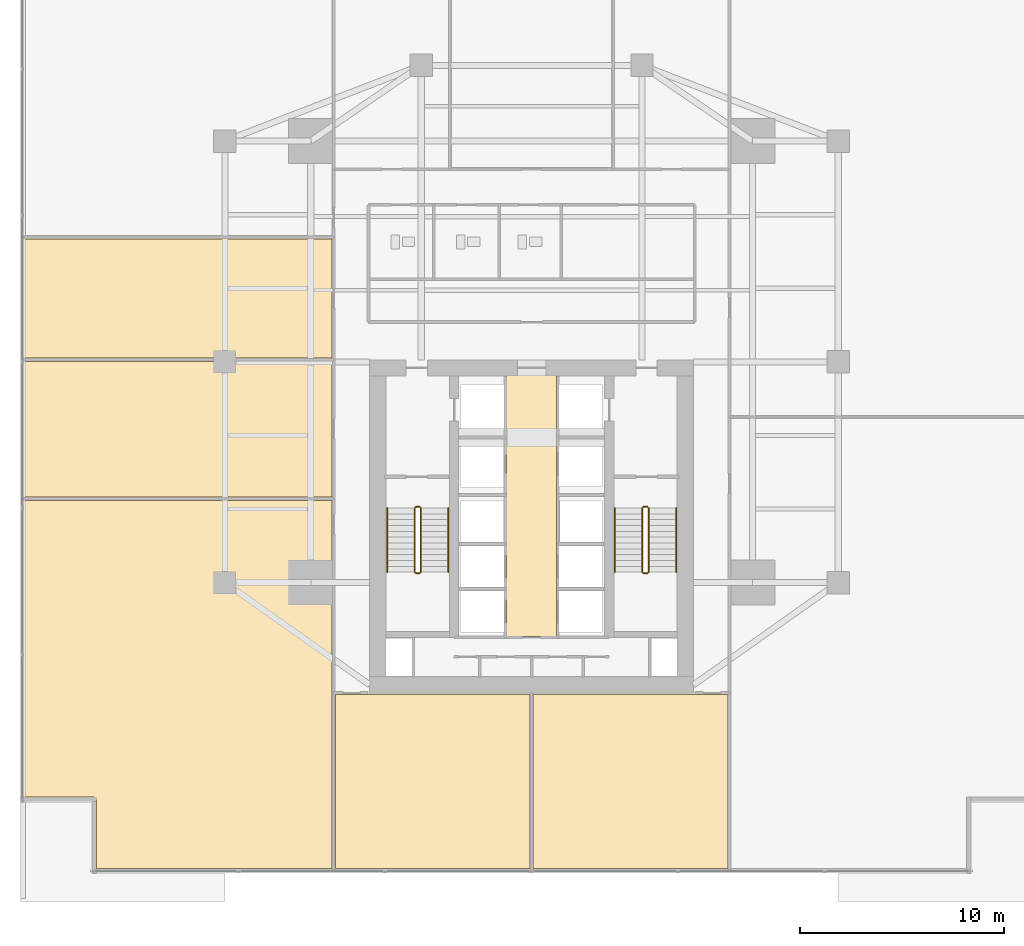
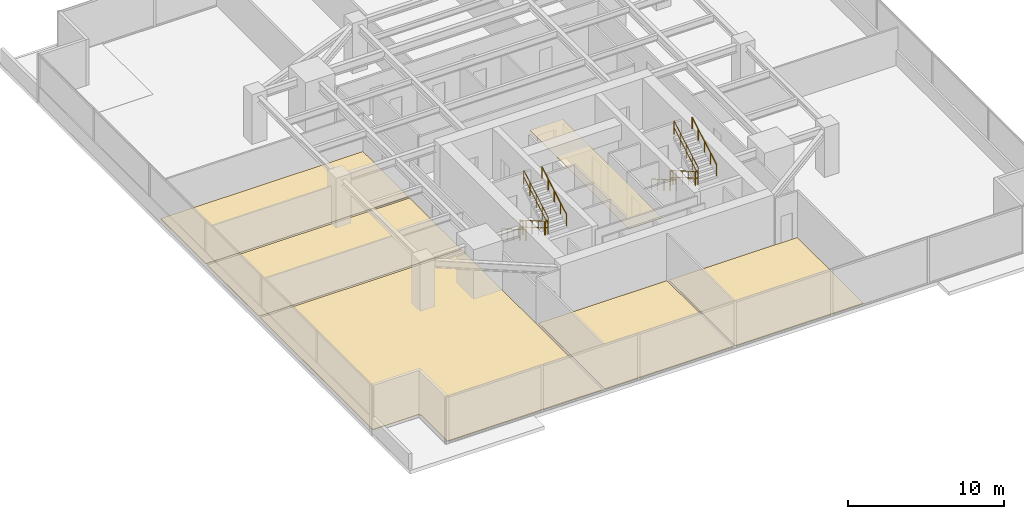
# One storey, part 28 of 30: 12 railings, 6 coverings.
"""IFC4 building model written with IfcOpenShell, lengths in metres."""

from ifc_helpers import new_model, si_unit, direction, frame, origin, origin_2d, place, context, subcontext, project, spatial, polyline, circle, outline, extrude, material, layer, layer_set, type_object, element, save


model = new_model("IFC4")

# Units and contexts
model_context = context("Model", 3, precision=1e-05, world=origin(), true_north=direction((0.0, 1.0)))
body_context = subcontext(model_context, "Body", "Model", "MODEL_VIEW")
ifc_project = project(units=[si_unit("LENGTHUNIT", "METRE"), si_unit("AREAUNIT", "SQUARE_METRE"), si_unit("VOLUMEUNIT", "CUBIC_METRE"), si_unit("PLANEANGLEUNIT", "RADIAN"), si_unit("MASSUNIT", "GRAM", prefix="KILO")], contexts=[model_context])

# Site, building, storey
site_placement = place(None, origin())
site = spatial("IfcSite", under=ifc_project, at=site_placement, CompositionType="ELEMENT")
building_placement = place(site_placement, origin())
building = spatial("IfcBuilding", under=site, at=building_placement, Name="Krantzveldt Concourse Tower", CompositionType="ELEMENT")
storey_placement = place(building_placement, frame((0.0, 0.0, 25.0)))
storey = spatial("IfcBuildingStorey", under=building, at=storey_placement, Name="L05", CompositionType="ELEMENT", Elevation=25.0)

# Coverings
ifc_material_1 = material(Name="Perforated acoustic mineral-fibre ceiling tile", Category="ceiling")
ifc_layer_1 = layer(ifc_material_1, 0.0400390625, Name="Perforated acoustic mineral-fibre ceiling tile", Category="ceiling")
ifc_layer_set_1 = layer_set([ifc_layer_1], Name="Perforated acoustic mineral-fibre ceiling tile (COV-CEIL-ACOUSTIC)")
covering_type_1 = type_object("IfcCoveringType", Name="COV-CEIL-ACOUSTIC", PredefinedType="CEILING", material=ifc_layer_set_1)
covering_1_placement = place(storey_placement, frame((0.0, 0.0, 2.75)))
element("IfcCovering", 1, at=covering_1_placement, inside=storey, type_object=covering_type_1, Name="CLG-L05-LLB", PredefinedType="CEILING", context=body_context, shape_type="SweptSolid", body=[
    extrude(outline(polyline([(37.22509765625, 13.27490234375), (34.77490234375, 13.27490234375), (34.77490234375, 26.044921875), (37.22509765625, 26.044921875), (37.22509765625, 13.27490234375)])), origin(), (0.0, 0.0, 1.0), 0.0400390625),
])
ifc_material_2 = material(Name="Calcium-sulphate raised access floor panel", Category="flooring")
ifc_layer_2 = layer(ifc_material_2, 0.050048828125, Name="Calcium-sulphate raised access floor panel", Category="flooring")
ifc_layer_set_2 = layer_set([ifc_layer_2], Name="Calcium-sulphate raised access floor panel (COV-FLOOR-RAISED)")
covering_type_2 = type_object("IfcCoveringType", Name="COV-FLOOR-RAISED", PredefinedType="FLOORING", material=ifc_layer_set_2)
covering_2_placement = place(storey_placement, origin())
element("IfcCovering", 2, at=covering_2_placement, inside=storey, type_object=covering_type_2, Name="FLR-SP-L05-WR1", PredefinedType="FLOORING", context=body_context, shape_type="SweptSolid", body=[
    extrude(outline(polyline([(26.239990234375, 1.919921875), (14.719970703125, 1.919921875), (14.719970703125, 5.199951171875), (14.718994140625, 5.2216796875), (14.7158203125, 5.242919921875), (14.71044921875, 5.263916015625), (14.703369140625, 5.2841796875), (14.694091796875, 5.3037109375), (14.682861328125, 5.322265625), (14.670166015625, 5.339599609375), (14.655517578125, 5.35546875), (14.6396484375, 5.3701171875), (14.622314453125, 5.3828125), (14.603759765625, 5.39404296875), (14.584228515625, 5.4033203125), (14.56396484375, 5.41064453125), (14.54296875, 5.415771484375), (14.521484375, 5.4189453125), (14.5, 5.419921875), (11.219970703125, 5.419921875), (11.219970703125, 19.919921875), (26.239990234375, 19.919921875), (26.239990234375, 1.919921875)])), origin(), (0.0, 0.0, 1.0), 0.050048828125),
])
covering_3_placement = place(storey_placement, origin())
element("IfcCovering", 3, at=covering_3_placement, inside=storey, type_object=covering_type_2, Name="FLR-SP-L05-WR2", PredefinedType="FLOORING", context=body_context, shape_type="SweptSolid", body=[
    extrude(outline(polyline([(26.239990234375, 20.080078125), (11.219970703125, 20.080078125), (11.219970703125, 26.719970703125), (26.239990234375, 26.719970703125), (26.239990234375, 20.080078125)])), origin(), (0.0, 0.0, 1.0), 0.050048828125),
])
covering_4_placement = place(storey_placement, origin())
element("IfcCovering", 4, at=covering_4_placement, inside=storey, type_object=covering_type_2, Name="FLR-SP-L05-WR3", PredefinedType="FLOORING", context=body_context, shape_type="SweptSolid", body=[
    extrude(outline(polyline([(26.239990234375, 26.8798828125), (11.219970703125, 26.8798828125), (11.219970703125, 32.719970703125), (26.239990234375, 32.719970703125), (26.239990234375, 26.8798828125)])), origin(), (0.0, 0.0, 1.0), 0.050048828125),
])
covering_5_placement = place(storey_placement, origin())
element("IfcCovering", 5, at=covering_5_placement, inside=storey, type_object=covering_type_2, Name="FLR-SP-L05-SR1", PredefinedType="FLOORING", context=body_context, shape_type="SweptSolid", body=[
    extrude(outline(polyline([(35.929931640625, 1.919921875), (26.39990234375, 1.919921875), (26.39990234375, 10.419921875), (35.929931640625, 10.419921875), (35.929931640625, 1.919921875)])), origin(), (0.0, 0.0, 1.0), 0.050048828125),
])
covering_6_placement = place(storey_placement, origin())
element("IfcCovering", 6, at=covering_6_placement, inside=storey, type_object=covering_type_2, Name="FLR-SP-L05-SR2", PredefinedType="FLOORING", context=body_context, shape_type="SweptSolid", body=[
    extrude(outline(polyline([(36.070068359375, 1.919921875), (36.070068359375, 10.419921875), (45.60009765625, 10.419921875), (45.60009765625, 1.919921875), (36.070068359375, 1.919921875)])), origin(), (0.0, 0.0, 1.0), 0.050048828125),
])

# Railings
ifc_material_3 = material(Name="Stainless steel 316L", Category="steel")
ifc_layer_3 = layer(ifc_material_3, 0.06005859375, Name="Stainless steel 316L", Category="steel")
ifc_layer_set_3 = layer_set([ifc_layer_3], Name="Stainless steel 316L (RL-GUARD-1120)")
railing_type_1 = type_object("IfcRailingType", Name="RL-GUARD-1120", PredefinedType="GUARDRAIL", material=ifc_layer_set_3)
railing_1_placement = place(storey_placement, frame((30.280029296875, 19.550048828125, 0.16455078125)))
element("IfcRailing", 7, at=railing_1_placement, inside=storey, type_object=railing_type_1, Name="L05 ST-1 stair guard 1", PredefinedType="GUARDRAIL", context=body_context, shape_type="SweptSolid", body=[
    extrude(circle(Radius=0.02392578125, at=origin_2d()), frame((0.0, 0.0, 1.076171875), z_axis=(0.0, -0.865959834175, 0.500113552702), x_axis=(1.0, 0.0, 0.0)), (0.0, 0.0, 1.0), 3.620361328125),
    extrude(circle(Radius=0.02392578125, at=origin_2d()), frame((0.0, 0.0, 0.550048828125), z_axis=(0.0, -0.865959834175, 0.500113552702), x_axis=(1.0, 0.0, 0.0)), (0.0, 0.0, 1.0), 3.620361328125),
    extrude(circle(Radius=0.02099609375, at=origin_2d()), origin(), (0.0, 0.0, 1.0), 1.052001953125),
    extrude(circle(Radius=0.02099609375, at=origin_2d()), frame((0.0, -0.78369140625, 0.45263671875)), (0.0, 0.0, 1.0), 1.052001953125),
    extrude(circle(Radius=0.02099609375, at=origin_2d()), frame((0.0, -1.5673828125, 0.9052734375)), (0.0, 0.0, 1.0), 1.052001953125),
    extrude(circle(Radius=0.02099609375, at=origin_2d()), frame((0.0, -2.351318359375, 1.35791015625)), (0.0, 0.0, 1.0), 1.052001953125),
    extrude(circle(Radius=0.02099609375, at=origin_2d()), frame((0.0, -3.135009765625, 1.810546875)), (0.0, 0.0, 1.0), 1.052001953125),
])
railing_2_placement = place(storey_placement, frame((30.330078125, 16.364990234375, 1.97509765625)))
element("IfcRailing", 8, at=railing_2_placement, inside=storey, type_object=railing_type_1, Name="L05 ST-1 stair guard 2", PredefinedType="GUARDRAIL", context=body_context, shape_type="SweptSolid", body=[
    extrude(circle(Radius=0.02392578125, at=origin_2d()), frame((0.0, 0.0, 1.076171875), z_axis=(1.0, 0.0, 0.0), x_axis=(0.0, 1.0, 0.0)), (0.0, 0.0, 1.0), 0.199951171875),
    extrude(circle(Radius=0.02392578125, at=origin_2d()), frame((0.0, 0.0, 0.550048828125), z_axis=(1.0, 0.0, 0.0), x_axis=(0.0, 1.0, 0.0)), (0.0, 0.0, 1.0), 0.199951171875),
    extrude(circle(Radius=0.02099609375, at=origin_2d()), origin(), (0.0, 0.0, 1.0), 1.052001953125),
    extrude(circle(Radius=0.02099609375, at=origin_2d()), frame((0.199951171875, 0.0, 0.0)), (0.0, 0.0, 1.0), 1.052001953125),
])
railing_3_placement = place(storey_placement, frame((30.580078125, 16.4150390625, 2.1396484375)))
element("IfcRailing", 9, at=railing_3_placement, inside=storey, type_object=railing_type_1, Name="L05 ST-1 stair guard 3", PredefinedType="GUARDRAIL", context=body_context, shape_type="SweptSolid", body=[
    extrude(circle(Radius=0.02392578125, at=origin_2d()), frame((0.0, 0.0, 1.076171875), z_axis=(0.0, 0.865989039225, 0.500062979975), x_axis=(-1.0, 0.0, 0.0)), (0.0, 0.0, 1.0), 3.6201171875),
    extrude(circle(Radius=0.02392578125, at=origin_2d()), frame((0.0, 0.0, 0.550048828125), z_axis=(0.0, 0.865989039225, 0.500062979975), x_axis=(-1.0, 0.0, 0.0)), (0.0, 0.0, 1.0), 3.6201171875),
    extrude(circle(Radius=0.02099609375, at=origin_2d()), origin(), (0.0, 0.0, 1.0), 1.052001953125),
    extrude(circle(Radius=0.02099609375, at=origin_2d()), frame((0.0, 0.78369140625, 0.45263671875)), (0.0, 0.0, 1.0), 1.052001953125),
    extrude(circle(Radius=0.02099609375, at=origin_2d()), frame((0.0, 1.5673828125, 0.9052734375)), (0.0, 0.0, 1.0), 1.052001953125),
    extrude(circle(Radius=0.02099609375, at=origin_2d()), frame((0.0, 2.351318359375, 1.357666015625)), (0.0, 0.0, 1.0), 1.052001953125),
    extrude(circle(Radius=0.02099609375, at=origin_2d()), frame((0.0, 3.135009765625, 1.810302734375)), (0.0, 0.0, 1.0), 1.052001953125),
])
railing_4_placement = place(storey_placement, frame((30.330078125, 19.60009765625, 0.0)))
element("IfcRailing", 10, at=railing_4_placement, inside=storey, type_object=railing_type_1, Name="L05 ST-1 stair guard 4", PredefinedType="GUARDRAIL", context=body_context, shape_type="SweptSolid", body=[
    extrude(circle(Radius=0.02392578125, at=origin_2d()), frame((0.0, 0.0, 1.076171875), z_axis=(1.0, 0.0, 0.0), x_axis=(0.0, 1.0, 0.0)), (0.0, 0.0, 1.0), 0.199951171875),
    extrude(circle(Radius=0.02392578125, at=origin_2d()), frame((0.0, 0.0, 0.550048828125), z_axis=(1.0, 0.0, 0.0), x_axis=(0.0, 1.0, 0.0)), (0.0, 0.0, 1.0), 0.199951171875),
    extrude(circle(Radius=0.02099609375, at=origin_2d()), origin(), (0.0, 0.0, 1.0), 1.052001953125),
    extrude(circle(Radius=0.02099609375, at=origin_2d()), frame((0.199951171875, 0.0, 0.0)), (0.0, 0.0, 1.0), 1.052001953125),
])
railing_5_placement = place(storey_placement, frame((41.419921875, 19.550048828125, 0.16455078125)))
element("IfcRailing", 11, at=railing_5_placement, inside=storey, type_object=railing_type_1, Name="L05 ST-2 stair guard 1", PredefinedType="GUARDRAIL", context=body_context, shape_type="SweptSolid", body=[
    extrude(circle(Radius=0.02392578125, at=origin_2d()), frame((0.0, 0.0, 1.076171875), z_axis=(0.0, -0.865959834175, 0.500113552702), x_axis=(1.0, 0.0, 0.0)), (0.0, 0.0, 1.0), 3.620361328125),
    extrude(circle(Radius=0.02392578125, at=origin_2d()), frame((0.0, 0.0, 0.550048828125), z_axis=(0.0, -0.865959834175, 0.500113552702), x_axis=(1.0, 0.0, 0.0)), (0.0, 0.0, 1.0), 3.620361328125),
    extrude(circle(Radius=0.02099609375, at=origin_2d()), origin(), (0.0, 0.0, 1.0), 1.052001953125),
    extrude(circle(Radius=0.02099609375, at=origin_2d()), frame((0.0, -0.78369140625, 0.45263671875)), (0.0, 0.0, 1.0), 1.052001953125),
    extrude(circle(Radius=0.02099609375, at=origin_2d()), frame((0.0, -1.5673828125, 0.9052734375)), (0.0, 0.0, 1.0), 1.052001953125),
    extrude(circle(Radius=0.02099609375, at=origin_2d()), frame((0.0, -2.351318359375, 1.35791015625)), (0.0, 0.0, 1.0), 1.052001953125),
    extrude(circle(Radius=0.02099609375, at=origin_2d()), frame((0.0, -3.135009765625, 1.810546875)), (0.0, 0.0, 1.0), 1.052001953125),
])
railing_6_placement = place(storey_placement, frame((41.469970703125, 16.364990234375, 1.97509765625)))
element("IfcRailing", 12, at=railing_6_placement, inside=storey, type_object=railing_type_1, Name="L05 ST-2 stair guard 2", PredefinedType="GUARDRAIL", context=body_context, shape_type="SweptSolid", body=[
    extrude(circle(Radius=0.02392578125, at=origin_2d()), frame((0.0, 0.0, 1.076171875), z_axis=(1.0, 0.0, 0.0), x_axis=(0.0, 1.0, 0.0)), (0.0, 0.0, 1.0), 0.199951171875),
    extrude(circle(Radius=0.02392578125, at=origin_2d()), frame((0.0, 0.0, 0.550048828125), z_axis=(1.0, 0.0, 0.0), x_axis=(0.0, 1.0, 0.0)), (0.0, 0.0, 1.0), 0.199951171875),
    extrude(circle(Radius=0.02099609375, at=origin_2d()), origin(), (0.0, 0.0, 1.0), 1.052001953125),
    extrude(circle(Radius=0.02099609375, at=origin_2d()), frame((0.199951171875, 0.0, 0.0)), (0.0, 0.0, 1.0), 1.052001953125),
])
railing_7_placement = place(storey_placement, frame((41.719970703125, 16.4150390625, 2.1396484375)))
element("IfcRailing", 13, at=railing_7_placement, inside=storey, type_object=railing_type_1, Name="L05 ST-2 stair guard 3", PredefinedType="GUARDRAIL", context=body_context, shape_type="SweptSolid", body=[
    extrude(circle(Radius=0.02392578125, at=origin_2d()), frame((0.0, 0.0, 1.076171875), z_axis=(0.0, 0.865989039225, 0.500062979975), x_axis=(-1.0, 0.0, 0.0)), (0.0, 0.0, 1.0), 3.6201171875),
    extrude(circle(Radius=0.02392578125, at=origin_2d()), frame((0.0, 0.0, 0.550048828125), z_axis=(0.0, 0.865989039225, 0.500062979975), x_axis=(-1.0, 0.0, 0.0)), (0.0, 0.0, 1.0), 3.6201171875),
    extrude(circle(Radius=0.02099609375, at=origin_2d()), origin(), (0.0, 0.0, 1.0), 1.052001953125),
    extrude(circle(Radius=0.02099609375, at=origin_2d()), frame((0.0, 0.78369140625, 0.45263671875)), (0.0, 0.0, 1.0), 1.052001953125),
    extrude(circle(Radius=0.02099609375, at=origin_2d()), frame((0.0, 1.5673828125, 0.9052734375)), (0.0, 0.0, 1.0), 1.052001953125),
    extrude(circle(Radius=0.02099609375, at=origin_2d()), frame((0.0, 2.351318359375, 1.357666015625)), (0.0, 0.0, 1.0), 1.052001953125),
    extrude(circle(Radius=0.02099609375, at=origin_2d()), frame((0.0, 3.135009765625, 1.810302734375)), (0.0, 0.0, 1.0), 1.052001953125),
])
railing_8_placement = place(storey_placement, frame((41.469970703125, 19.60009765625, 0.0)))
element("IfcRailing", 14, at=railing_8_placement, inside=storey, type_object=railing_type_1, Name="L05 ST-2 stair guard 4", PredefinedType="GUARDRAIL", context=body_context, shape_type="SweptSolid", body=[
    extrude(circle(Radius=0.02392578125, at=origin_2d()), frame((0.0, 0.0, 1.076171875), z_axis=(1.0, 0.0, 0.0), x_axis=(0.0, 1.0, 0.0)), (0.0, 0.0, 1.0), 0.199951171875),
    extrude(circle(Radius=0.02392578125, at=origin_2d()), frame((0.0, 0.0, 0.550048828125), z_axis=(1.0, 0.0, 0.0), x_axis=(0.0, 1.0, 0.0)), (0.0, 0.0, 1.0), 0.199951171875),
    extrude(circle(Radius=0.02099609375, at=origin_2d()), origin(), (0.0, 0.0, 1.0), 1.052001953125),
    extrude(circle(Radius=0.02099609375, at=origin_2d()), frame((0.199951171875, 0.0, 0.0)), (0.0, 0.0, 1.0), 1.052001953125),
])
ifc_layer_4 = layer(ifc_material_3, 0.050048828125, Name="Stainless steel 316L", Category="steel")
ifc_layer_set_4 = layer_set([ifc_layer_4], Name="Stainless steel 316L (RL-HANDRAIL-920)")
railing_type_2 = type_object("IfcRailingType", Name="RL-HANDRAIL-920", PredefinedType="HANDRAIL", material=ifc_layer_set_4)
railing_9_placement = place(storey_placement, frame((28.929931640625, 19.550048828125, 0.16455078125)))
element("IfcRailing", 15, at=railing_9_placement, inside=storey, type_object=railing_type_2, Name="L05 ST-1 stair handrail 1", PredefinedType="HANDRAIL", context=body_context, shape_type="SweptSolid", body=[
    extrude(circle(Radius=0.02392578125, at=origin_2d()), frame((0.0, 0.0, 0.8759765625), z_axis=(0.0, -0.865959834175, 0.500113552702), x_axis=(1.0, 0.0, 0.0)), (0.0, 0.0, 1.0), 3.620361328125),
    extrude(circle(Radius=0.02099609375, at=origin_2d()), origin(), (0.0, 0.0, 1.0), 0.851806640625),
    extrude(circle(Radius=0.02099609375, at=origin_2d()), frame((0.0, -0.78369140625, 0.45263671875)), (0.0, 0.0, 1.0), 0.851806640625),
    extrude(circle(Radius=0.02099609375, at=origin_2d()), frame((0.0, -1.5673828125, 0.9052734375)), (0.0, 0.0, 1.0), 0.851806640625),
    extrude(circle(Radius=0.02099609375, at=origin_2d()), frame((0.0, -2.351318359375, 1.35791015625)), (0.0, 0.0, 1.0), 0.851806640625),
    extrude(circle(Radius=0.02099609375, at=origin_2d()), frame((0.0, -3.135009765625, 1.810546875)), (0.0, 0.0, 1.0), 0.851806640625),
])
railing_10_placement = place(storey_placement, frame((31.929931640625, 16.4150390625, 2.1396484375)))
element("IfcRailing", 16, at=railing_10_placement, inside=storey, type_object=railing_type_2, Name="L05 ST-1 stair handrail 2", PredefinedType="HANDRAIL", context=body_context, shape_type="SweptSolid", body=[
    extrude(circle(Radius=0.02392578125, at=origin_2d()), frame((0.0, 0.0, 0.8759765625), z_axis=(0.0, 0.865989039225, 0.500062979975), x_axis=(-1.0, 0.0, 0.0)), (0.0, 0.0, 1.0), 3.6201171875),
    extrude(circle(Radius=0.02099609375, at=origin_2d()), origin(), (0.0, 0.0, 1.0), 0.851806640625),
    extrude(circle(Radius=0.02099609375, at=origin_2d()), frame((0.0, 0.78369140625, 0.45263671875)), (0.0, 0.0, 1.0), 0.851806640625),
    extrude(circle(Radius=0.02099609375, at=origin_2d()), frame((0.0, 1.5673828125, 0.9052734375)), (0.0, 0.0, 1.0), 0.851806640625),
    extrude(circle(Radius=0.02099609375, at=origin_2d()), frame((0.0, 2.351318359375, 1.357666015625)), (0.0, 0.0, 1.0), 0.851806640625),
    extrude(circle(Radius=0.02099609375, at=origin_2d()), frame((0.0, 3.135009765625, 1.810302734375)), (0.0, 0.0, 1.0), 0.851806640625),
])
railing_11_placement = place(storey_placement, frame((40.070068359375, 19.550048828125, 0.16455078125)))
element("IfcRailing", 17, at=railing_11_placement, inside=storey, type_object=railing_type_2, Name="L05 ST-2 stair handrail 1", PredefinedType="HANDRAIL", context=body_context, shape_type="SweptSolid", body=[
    extrude(circle(Radius=0.02392578125, at=origin_2d()), frame((0.0, 0.0, 0.8759765625), z_axis=(0.0, -0.865959834175, 0.500113552702), x_axis=(1.0, 0.0, 0.0)), (0.0, 0.0, 1.0), 3.620361328125),
    extrude(circle(Radius=0.02099609375, at=origin_2d()), origin(), (0.0, 0.0, 1.0), 0.851806640625),
    extrude(circle(Radius=0.02099609375, at=origin_2d()), frame((0.0, -0.78369140625, 0.45263671875)), (0.0, 0.0, 1.0), 0.851806640625),
    extrude(circle(Radius=0.02099609375, at=origin_2d()), frame((0.0, -1.5673828125, 0.9052734375)), (0.0, 0.0, 1.0), 0.851806640625),
    extrude(circle(Radius=0.02099609375, at=origin_2d()), frame((0.0, -2.351318359375, 1.35791015625)), (0.0, 0.0, 1.0), 0.851806640625),
    extrude(circle(Radius=0.02099609375, at=origin_2d()), frame((0.0, -3.135009765625, 1.810546875)), (0.0, 0.0, 1.0), 0.851806640625),
])
railing_12_placement = place(storey_placement, frame((43.070068359375, 16.4150390625, 2.1396484375)))
element("IfcRailing", 18, at=railing_12_placement, inside=storey, type_object=railing_type_2, Name="L05 ST-2 stair handrail 2", PredefinedType="HANDRAIL", context=body_context, shape_type="SweptSolid", body=[
    extrude(circle(Radius=0.02392578125, at=origin_2d()), frame((0.0, 0.0, 0.8759765625), z_axis=(0.0, 0.865989039225, 0.500062979975), x_axis=(-1.0, 0.0, 0.0)), (0.0, 0.0, 1.0), 3.6201171875),
    extrude(circle(Radius=0.02099609375, at=origin_2d()), origin(), (0.0, 0.0, 1.0), 0.851806640625),
    extrude(circle(Radius=0.02099609375, at=origin_2d()), frame((0.0, 0.78369140625, 0.45263671875)), (0.0, 0.0, 1.0), 0.851806640625),
    extrude(circle(Radius=0.02099609375, at=origin_2d()), frame((0.0, 1.5673828125, 0.9052734375)), (0.0, 0.0, 1.0), 0.851806640625),
    extrude(circle(Radius=0.02099609375, at=origin_2d()), frame((0.0, 2.351318359375, 1.357666015625)), (0.0, 0.0, 1.0), 0.851806640625),
    extrude(circle(Radius=0.02099609375, at=origin_2d()), frame((0.0, 3.135009765625, 1.810302734375)), (0.0, 0.0, 1.0), 0.851806640625),
])

save(model, "model.ifc")
